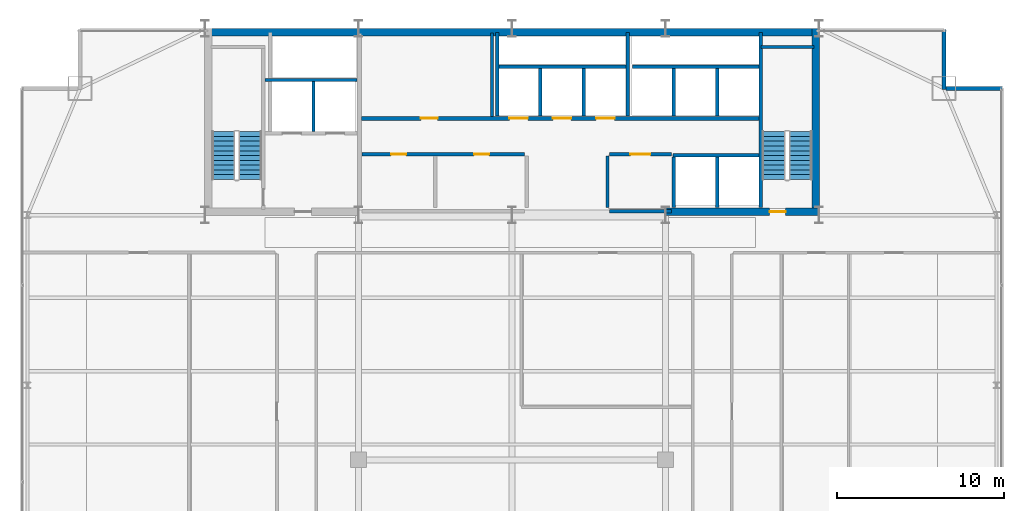
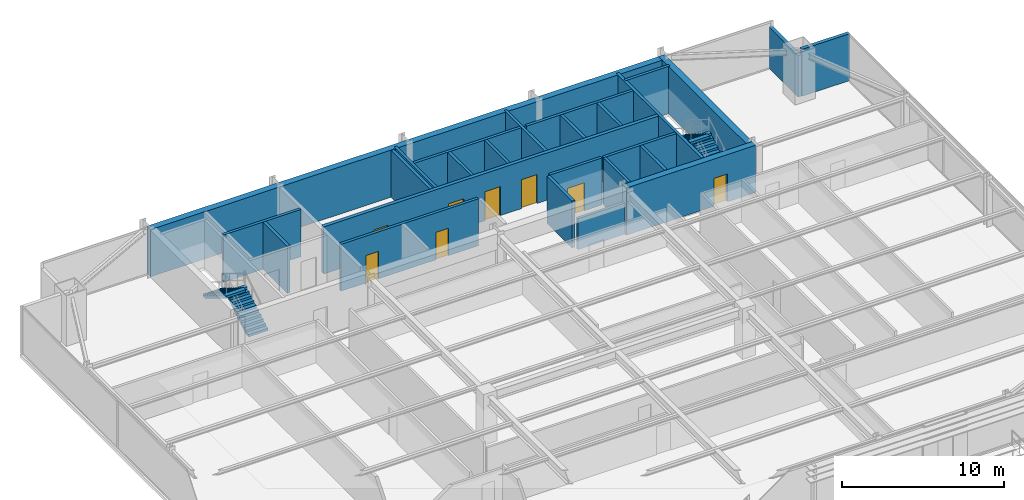
# One storey, part 29 of 32: 26 walls, 8 doors, 4 stair flights, 8 openings, 2 elements without a shape of their own.
"""IFC4 building model written with IfcOpenShell, lengths in metres."""

from ifc_helpers import new_model, si_unit, direction, frame, frame_2d, origin, place, context, subcontext, project, spatial, polyline, rectangle, outline, extrude, source, transform, mapped, material, layer, layer_set, type_object, type_shapes, element, fill, aggregate, save


model = new_model("IFC4")

# Units and contexts
model_context = context("Model", 3, precision=1e-05, world=origin(), true_north=direction((0.0, 1.0)))
body_context = subcontext(model_context, "Body", "Model", "MODEL_VIEW")
ifc_project = project(units=[si_unit("LENGTHUNIT", "METRE"), si_unit("AREAUNIT", "SQUARE_METRE"), si_unit("VOLUMEUNIT", "CUBIC_METRE"), si_unit("PLANEANGLEUNIT", "RADIAN"), si_unit("MASSUNIT", "GRAM", prefix="KILO")], contexts=[model_context])

# Site, building, storey
site_placement = place(None, origin())
site = spatial("IfcSite", under=ifc_project, at=site_placement, CompositionType="ELEMENT")
building_placement = place(site_placement, origin())
building = spatial("IfcBuilding", under=site, at=building_placement, Name="Varnel Quay Broadcast Tower", CompositionType="ELEMENT")
storey_placement = place(building_placement, frame((0.0, 0.0, 133.39990234375)))
storey = spatial("IfcBuildingStorey", under=building, at=storey_placement, Name="L32", CompositionType="ELEMENT", Elevation=133.39990234375)

# Walls
ifc_material_1 = material(Name="Concrete CSA A23.3 C50/60", Category="concrete")
ifc_layer_1 = layer(ifc_material_1, 0.199951171875, Name="Concrete CSA A23.3 C50/60")
ifc_layer_set_1 = layer_set([ifc_layer_1], Name="Concrete CSA A23.3 C50/60")
wall_type_1 = type_object("IfcWallType", Name="Wall_CoreShaftShear200", PredefinedType="SHEAR", material=ifc_layer_set_1)
wall_1_placement = place(storey_placement, frame((19.199951171875, 43.699951171875, 0.0), z_axis=(0.0, 0.0, 1.0), x_axis=(1.0, 0.0, 0.0)))
element("IfcWall", 1, at=wall_1_placement, inside=storey, type_object=wall_type_1, Name="L32 Firefighter Lift Shaft Rear Wall", PredefinedType="SHEAR", context=body_context, shape_type="SweptSolid", body=[
    extrude(rectangle(XDim=5.52001953125, YDim=0.199951171875, at=frame_2d((2.760009765625, 0.0))), origin(), (0.0, 0.0, 1.0), 3.550048828125),
])
wall_2_placement = place(storey_placement, frame((22.10009765625, 40.60009765625, 0.0), z_axis=(0.0, 0.0, 1.0), x_axis=(0.0, 1.0, 0.0)))
element("IfcWall", 2, at=wall_2_placement, inside=storey, type_object=wall_type_1, Name="L32 Firefighter Lift Shaft Divider", PredefinedType="SHEAR", context=body_context, shape_type="SweptSolid", body=[
    extrude(rectangle(XDim=3.0, YDim=0.199951171875, at=frame_2d((1.5, 0.0))), origin(), (0.0, 0.0, 1.0), 3.550048828125),
])
wall_3_placement = place(storey_placement, frame((48.919921875, 36.050048828125, 0.0), z_axis=(0.0, 0.0, 1.0), x_axis=(0.0, 1.0, 0.0)))
element("IfcWall", 3, at=wall_3_placement, inside=storey, type_object=wall_type_1, Name="L32 Stair 2 West Structural Wall", PredefinedType="SHEAR", context=body_context, shape_type="SweptSolid", body=[
    extrude(rectangle(XDim=10.5, YDim=0.199951171875, at=frame_2d((5.25, 0.0))), origin(), (0.0, 0.0, 1.0), 3.550048828125),
])
wall_4_placement = place(storey_placement, frame((48.919921875, 45.679931640625, 0.0), z_axis=(0.0, 0.0, 1.0), x_axis=(1.0, 0.0, 0.0)))
element("IfcWall", 4, at=wall_4_placement, inside=storey, type_object=wall_type_1, Name="L32 Stair 2 North Structural Wall", PredefinedType="SHEAR", context=body_context, shape_type="SweptSolid", body=[
    extrude(rectangle(XDim=3.18017578125, YDim=0.199951171875, at=frame_2d((1.590087890625, 0.0))), origin(), (0.0, 0.0, 1.0), 3.550048828125),
])
wall_5_placement = place(storey_placement, frame((33.219970703125, 44.5, 0.0), z_axis=(0.0, 0.0, 1.0), x_axis=(1.0, 0.0, 0.0)))
element("IfcWall", 5, at=wall_5_placement, inside=storey, type_object=wall_type_1, Name="L32 Mid-Rise Lift Shaft Rear Wall", PredefinedType="SHEAR", context=body_context, shape_type="SweptSolid", body=[
    extrude(rectangle(XDim=7.630126953125, YDim=0.199951171875, at=frame_2d((3.81494140625, 0.0))), origin(), (0.0, 0.0, 1.0), 3.550048828125),
])
wall_6_placement = place(storey_placement, frame((33.1201171875, 41.530029296875, 0.0), z_axis=(0.0, 0.0, 1.0), x_axis=(0.0, 1.0, 0.0)))
element("IfcWall", 6, at=wall_6_placement, inside=storey, type_object=wall_type_1, Name="L32 Mid-Rise Lift Shaft Divider 1", PredefinedType="SHEAR", context=body_context, shape_type="SweptSolid", body=[
    extrude(rectangle(XDim=5.02001953125, YDim=0.199951171875, at=frame_2d((2.510009765625, 0.0))), origin(), (0.0, 0.0, 1.0), 3.550048828125),
])
for number, where, z_axis, x_axis, name in (
    (7, (35.699951171875, 41.530029296875, 0.0), (0.0, 0.0, 1.0), (0.0, 1.0, 0.0), "L32 Mid-Rise Lift Shaft Divider 2"),
    (8, (38.300048828125, 41.530029296875, 0.0), (0.0, 0.0, 1.0), (0.0, 1.0, 0.0), "L32 Mid-Rise Lift Shaft Divider 3"),
):
    element("IfcWall", number, at=place(storey_placement, frame(where, z_axis=z_axis, x_axis=x_axis)), inside=storey, type_object=wall_type_1, Name=name, PredefinedType="SHEAR", context=body_context, shape_type="SweptSolid", body=[
        extrude(rectangle(XDim=2.869873046875, YDim=0.199951171875, at=frame_2d((1.43505859375, 0.0))), origin(), (0.0, 0.0, 1.0), 3.550048828125),
    ])
wall_7_placement = place(storey_placement, frame((40.949951171875, 41.530029296875, 0.0), z_axis=(0.0, 0.0, 1.0), x_axis=(0.0, 1.0, 0.0)))
element("IfcWall", 9, at=wall_7_placement, inside=storey, type_object=wall_type_1, Name="L32 Mid-Rise Lift Shaft Divider 4", PredefinedType="SHEAR", context=body_context, shape_type="SweptSolid", body=[
    extrude(rectangle(XDim=5.02001953125, YDim=0.199951171875, at=frame_2d((2.510009765625, 0.0))), origin(), (0.0, 0.0, 1.0), 3.550048828125),
])
wall_8_placement = place(storey_placement, frame((41.219970703125, 44.5, 0.0), z_axis=(0.0, 0.0, 1.0), x_axis=(1.0, 0.0, 0.0)))
element("IfcWall", 10, at=wall_8_placement, inside=storey, type_object=wall_type_1, Name="L32 High-Rise Lift Shaft Rear Wall", PredefinedType="SHEAR", context=body_context, shape_type="SweptSolid", body=[
    extrude(rectangle(XDim=7.580078125, YDim=0.199951171875, at=frame_2d((3.7900390625, 0.0))), origin(), (0.0, 0.0, 1.0), 3.550048828125),
])
for number, where, z_axis, x_axis, name in (
    (11, (43.699951171875, 41.530029296875, 0.0), (0.0, 0.0, 1.0), (0.0, 1.0, 0.0), "L32 High-Rise Lift Shaft Divider 2"),
    (12, (46.300048828125, 41.530029296875, 0.0), (0.0, 0.0, 1.0), (0.0, 1.0, 0.0), "L32 High-Rise Lift Shaft Divider 3"),
):
    element("IfcWall", number, at=place(storey_placement, frame(where, z_axis=z_axis, x_axis=x_axis)), inside=storey, type_object=wall_type_1, Name=name, PredefinedType="SHEAR", context=body_context, shape_type="SweptSolid", body=[
        extrude(rectangle(XDim=2.869873046875, YDim=0.199951171875, at=frame_2d((1.43505859375, 0.0))), origin(), (0.0, 0.0, 1.0), 3.550048828125),
    ])
for number, where, z_axis, x_axis, name in (
    (13, (43.699951171875, 36.050048828125, 0.0), (0.0, 0.0, 1.0), (0.0, 1.0, 0.0), "L32 Express Lift Shaft West Wall"),
    (14, (46.300048828125, 36.050048828125, 0.0), (0.0, 0.0, 1.0), (0.0, 1.0, 0.0), "L32 Express Lift Shaft Divider"),
):
    element("IfcWall", number, at=place(storey_placement, frame(where, z_axis=z_axis, x_axis=x_axis)), inside=storey, type_object=wall_type_1, Name=name, PredefinedType="SHEAR", context=body_context, shape_type="SweptSolid", body=[
        extrude(rectangle(XDim=3.050048828125, YDim=0.199951171875, at=frame_2d((1.52490234375, 0.0))), origin(), (0.0, 0.0, 1.0), 3.550048828125),
    ])
wall_9_placement = place(storey_placement, frame((43.64990234375, 39.199951171875, 0.0), z_axis=(0.0, 0.0, 1.0), x_axis=(1.0, 0.0, 0.0)))
element("IfcWall", 15, at=wall_9_placement, inside=storey, type_object=wall_type_1, Name="L32 Express Lift Shaft North Front Wall", PredefinedType="SHEAR", context=body_context, shape_type="SweptSolid", body=[
    extrude(rectangle(XDim=5.150146484375, YDim=0.199951171875, at=frame_2d((2.5751953125, 0.0))), origin(), (0.0, 0.0, 1.0), 3.550048828125),
])

# Wall, openings, doors
ifc_layer_2 = layer(ifc_material_1, 0.25, Name="Concrete CSA A23.3 C50/60")
ifc_layer_set_2 = layer_set([ifc_layer_2], Name="Concrete CSA A23.3 C50/60")
wall_type_2 = type_object("IfcWallType", Name="Wall_CoreShaftShear250", PredefinedType="SHEAR", material=ifc_layer_set_2)
wall_10_placement = place(storey_placement, frame((24.97998046875, 41.39990234375, 0.0), z_axis=(0.0, 0.0, 1.0), x_axis=(1.0, 0.0, 0.0)))
wall_10 = element("IfcWall", 16, at=wall_10_placement, inside=storey, type_object=wall_type_2, Name="L32 North Lift Bank & Reclaimed Suite Wall", PredefinedType="SHEAR", context=body_context, shape_type="SweptSolid", body=[
    extrude(rectangle(XDim=23.820068359375, YDim=0.25, at=frame_2d((11.91015625, 0.0))), origin(), (0.0, 0.0, 1.0), 3.550048828125),
])
opening_1_placement = place(wall_10_placement, frame((8.8701171875, 0.0, 0.0)))
opening_1 = element("IfcOpeningElement", 17, at=opening_1_placement, cuts=wall_10, Name="Opening LD-L32-PM-01", PredefinedType="OPENING", context=body_context, shape_type="SweptSolid", body=[
    extrude(rectangle(XDim=1.10009765625, YDim=2.179931640625, at=frame_2d((0.550048828125, 1.08984375))), frame((0.0, 0.135009765625, 0.0), z_axis=(0.0, -1.0, 0.0), x_axis=(1.0, 0.0, 0.0)), (0.0, 0.0, 1.0), 0.27001953125),
])
opening_2_placement = place(wall_10_placement, frame((11.469970703125, 0.0, 0.0)))
opening_2 = element("IfcOpeningElement", 18, at=opening_2_placement, cuts=wall_10, Name="Opening LD-L32-PM-02", PredefinedType="OPENING", context=body_context, shape_type="SweptSolid", body=[
    extrude(rectangle(XDim=1.10009765625, YDim=2.179931640625, at=frame_2d((0.550048828125, 1.08984375))), frame((0.0, 0.135009765625, 0.0), z_axis=(0.0, -1.0, 0.0), x_axis=(1.0, 0.0, 0.0)), (0.0, 0.0, 1.0), 0.27001953125),
])
opening_3_placement = place(wall_10_placement, frame((14.070068359375, 0.0, 0.0)))
opening_3 = element("IfcOpeningElement", 19, at=opening_3_placement, cuts=wall_10, Name="Opening LD-L32-PM-03", PredefinedType="OPENING", context=body_context, shape_type="SweptSolid", body=[
    extrude(rectangle(XDim=1.10009765625, YDim=2.179931640625, at=frame_2d((0.550048828125, 1.08984375))), frame((0.0, 0.135009765625, 0.0), z_axis=(0.0, -1.0, 0.0), x_axis=(1.0, 0.0, 0.0)), (0.0, 0.0, 1.0), 0.27001953125),
])
opening_4_placement = place(wall_10_placement, frame((3.56005859375, 0.0, 0.0)))
opening_4 = element("IfcOpeningElement", 20, at=opening_4_placement, cuts=wall_10, Name="Opening D-L32-RECA1", PredefinedType="OPENING", context=body_context, shape_type="SweptSolid", body=[
    extrude(rectangle(XDim=1.0, YDim=2.080078125, at=frame_2d((0.5, 1.0400390625))), frame((0.0, 0.135009765625, 0.0), z_axis=(0.0, -1.0, 0.0), x_axis=(1.0, 0.0, 0.0)), (0.0, 0.0, 1.0), 0.27001953125),
])
ifc_material_2 = material(Name="Brushed Bronze-Stainless Lift Car & Sliding Doors", Category="steel")
door_type_1 = type_object("IfcDoorType", Name="Door_LiftLanding1100", OperationType="SLIDING_TO_LEFT", PredefinedType="DOOR", material=ifc_material_2)
shared_shape_1 = source(origin(), body_context, "Body", "SweptSolid", [
    extrude(rectangle(XDim=1.10009765625, YDim=2.179931640625, at=frame_2d((0.550048828125, 1.08984375))), frame((0.0, 0.02490234375, 0.0), z_axis=(0.0, -1.0, 0.0), x_axis=(1.0, 0.0, 0.0)), (0.0, 0.0, 1.0), 0.050048828125),
])
type_shapes(door_type_1, [shared_shape_1])
door_1_placement = place(opening_1_placement, frame((1.10009765625, 0.0, 0.0), z_axis=(0.0, 0.0, 1.0), x_axis=(-1.0, 0.0, 0.0)))
door_1 = element("IfcDoor", 21, at=door_1_placement, inside=storey, type_object=door_type_1, Name="L32 Lift PM-01 Landing Door", OperationType="SLIDING_TO_LEFT", OverallHeight=2.179931640625, OverallWidth=1.10009765625, PredefinedType="DOOR", context=body_context, shape_type="MappedRepresentation", body=[
    mapped(shared_shape_1, transform((0.0, 0.0, 0.0), x_axis=(1.0, 0.0, 0.0), y_axis=(0.0, 1.0, 0.0), z_axis=(0.0, 0.0, 1.0), scale=1.0)),
])
fill(opening_1, door_1)
door_2_placement = place(opening_2_placement, frame((1.10009765625, 0.0, 0.0), z_axis=(0.0, 0.0, 1.0), x_axis=(-1.0, 0.0, 0.0)))
door_2 = element("IfcDoor", 22, at=door_2_placement, inside=storey, type_object=door_type_1, Name="L32 Lift PM-02 Landing Door", OperationType="SLIDING_TO_LEFT", OverallHeight=2.179931640625, OverallWidth=1.10009765625, PredefinedType="DOOR", context=body_context, shape_type="MappedRepresentation", body=[
    mapped(shared_shape_1, transform((0.0, 0.0, 0.0), x_axis=(1.0, 0.0, 0.0), y_axis=(0.0, 1.0, 0.0), z_axis=(0.0, 0.0, 1.0), scale=1.0)),
])
fill(opening_2, door_2)
door_3_placement = place(opening_3_placement, frame((1.10009765625, 0.0, 0.0), z_axis=(0.0, 0.0, 1.0), x_axis=(-1.0, 0.0, 0.0)))
door_3 = element("IfcDoor", 23, at=door_3_placement, inside=storey, type_object=door_type_1, Name="L32 Lift PM-03 Landing Door", OperationType="SLIDING_TO_LEFT", OverallHeight=2.179931640625, OverallWidth=1.10009765625, PredefinedType="DOOR", context=body_context, shape_type="MappedRepresentation", body=[
    mapped(shared_shape_1, transform((0.0, 0.0, 0.0), x_axis=(1.0, 0.0, 0.0), y_axis=(0.0, 1.0, 0.0), z_axis=(0.0, 0.0, 1.0), scale=1.0)),
])
fill(opening_3, door_3)
ifc_material_3 = material(Name="Insulated Fire-Rated Hollow Steel Door", Category="steel")
door_type_2 = type_object("IfcDoorType", Name="Door_FireLobby1000", OperationType="NOTDEFINED", PredefinedType="DOOR", material=ifc_material_3)
shared_shape_2 = source(origin(), body_context, "Body", "SweptSolid", [
    extrude(rectangle(XDim=1.0, YDim=2.080078125, at=frame_2d((0.5, 1.0400390625))), frame((0.0, 0.02490234375, 0.0), z_axis=(0.0, -1.0, 0.0), x_axis=(1.0, 0.0, 0.0)), (0.0, 0.0, 1.0), 0.050048828125),
])
type_shapes(door_type_2, [shared_shape_2])
door_4_placement = place(opening_4_placement, origin())
door_4 = element("IfcDoor", 24, at=door_4_placement, inside=storey, type_object=door_type_2, Name="L32 Broadcast Ingest Server Hall Door", OperationType="SINGLE_SWING_RIGHT", OverallHeight=2.080078125, OverallWidth=1.0, PredefinedType="DOOR", context=body_context, shape_type="MappedRepresentation", body=[
    mapped(shared_shape_2, transform((0.0, 0.0, 0.0), x_axis=(1.0, 0.0, 0.0), y_axis=(0.0, 1.0, 0.0), z_axis=(0.0, 0.0, 1.0), scale=1.0)),
])
fill(opening_4, door_4)

# Walls
ifc_material_4 = material(Name="Concrete CSA A23.3 C60/75", Category="concrete")
ifc_layer_3 = layer(ifc_material_4, 0.449951171875, Name="Concrete CSA A23.3 C60/75")
ifc_layer_set_3 = layer_set([ifc_layer_3], Name="Concrete CSA A23.3 C60/75")
wall_type_3 = type_object("IfcWallType", Name="Wall_CoreShearExt450", PredefinedType="SHEAR", material=ifc_layer_set_3)
wall_11_placement = place(storey_placement, frame((15.60009765625, 46.574951171875, 0.0), z_axis=(0.0, 0.0, 1.0), x_axis=(1.0, 0.0, 0.0)))
element("IfcWall", 25, at=wall_11_placement, inside=storey, type_object=wall_type_3, Name="L32 North Core Shear Wall", PredefinedType="SHEAR", context=body_context, shape_type="SweptSolid", body=[
    extrude(rectangle(XDim=36.7998046875, YDim=0.449951171875, at=frame_2d((18.39990234375, 0.0))), origin(), (0.0, 0.0, 1.0), 3.550048828125),
])
ifc_layer_4 = layer(ifc_material_4, 0.449951171875, Name="Concrete CSA A23.3 C60/75")
ifc_layer_set_4 = layer_set([ifc_layer_4], Name="Concrete CSA A23.3 C60/75")
wall_type_4 = type_object("IfcWallType", Name="Wall_CoreShearInt450", PredefinedType="SHEAR", material=ifc_layer_set_4)
wall_12_placement = place(storey_placement, frame((52.205078125, 35.570068359375, 0.0), z_axis=(0.0, 0.0, 1.0), x_axis=(0.0, 1.0, 0.0)))
element("IfcWall", 26, at=wall_12_placement, inside=storey, type_object=wall_type_4, Name="L32 East Core Shear Wall", PredefinedType="SHEAR", context=body_context, shape_type="SweptSolid", body=[
    extrude(rectangle(XDim=11.22998046875, YDim=0.449951171875, at=frame_2d((5.614990234375, 0.0))), origin(), (0.0, 0.0, 1.0), 3.550048828125),
])

# Wall, opening, door
wall_13_placement = place(storey_placement, frame((43.199951171875, 35.794921875, 0.0), z_axis=(0.0, 0.0, 1.0), x_axis=(1.0, 0.0, 0.0)))
wall_13 = element("IfcWall", 27, at=wall_13_placement, inside=storey, type_object=wall_type_4, Name="L32 South-East Core Shear Wall", PredefinedType="SHEAR", context=body_context, shape_type="SweptSolid", body=[
    extrude(rectangle(XDim=9.22998046875, YDim=0.449951171875, at=frame_2d((4.614990234375, 0.0))), origin(), (0.0, 0.0, 1.0), 3.550048828125),
])
opening_5_placement = place(wall_13_placement, frame((6.25, 0.0, 0.0)))
opening_5 = element("IfcOpeningElement", 28, at=opening_5_placement, cuts=wall_13, Name="Opening D-L32-S2", PredefinedType="OPENING", context=body_context, shape_type="SweptSolid", body=[
    extrude(rectangle(XDim=0.949951171875, YDim=2.10009765625, at=frame_2d((0.47509765625, 1.050048828125))), frame((0.0, 0.23486328125, 0.0), z_axis=(0.0, -1.0, 0.0), x_axis=(1.0, 0.0, 0.0)), (0.0, 0.0, 1.0), 0.469970703125),
])
door_type_3 = type_object("IfcDoorType", Name="Door_FireStair950", OperationType="NOTDEFINED", PredefinedType="DOOR", material=ifc_material_3)
shared_shape_3 = source(origin(), body_context, "Body", "SweptSolid", [
    extrude(rectangle(XDim=0.949951171875, YDim=2.10009765625, at=frame_2d((0.47509765625, 1.050048828125))), frame((0.0, 0.02490234375, 0.0), z_axis=(0.0, -1.0, 0.0), x_axis=(1.0, 0.0, 0.0)), (0.0, 0.0, 1.0), 0.050048828125),
])
type_shapes(door_type_3, [shared_shape_3])
door_5_placement = place(opening_5_placement, origin())
door_5 = element("IfcDoor", 29, at=door_5_placement, inside=storey, type_object=door_type_3, Name="L32 Stair 2 Fire Door", OperationType="SINGLE_SWING_LEFT", OverallHeight=2.10009765625, OverallWidth=0.949951171875, PredefinedType="DOOR", context=body_context, shape_type="MappedRepresentation", body=[
    mapped(shared_shape_3, transform((0.0, 0.0, 0.0), x_axis=(1.0, 0.0, 0.0), y_axis=(0.0, 1.0, 0.0), z_axis=(0.0, 0.0, 1.0), scale=1.0)),
])
fill(opening_5, door_5)

# Walls
ifc_material_5 = material(Name="Precast Architectural Concrete C40/50", Category="concrete")
ifc_layer_5 = layer(ifc_material_5, 0.25, Name="Precast Architectural Concrete C40/50")
ifc_layer_set_5 = layer_set([ifc_layer_5], Name="Precast Architectural Concrete C40/50")
wall_type_5 = type_object("IfcWallType", Name="Wall_ExtTerrace250", PredefinedType="SOLIDWALL", material=ifc_layer_set_5)
wall_14_placement = place(storey_placement, frame((60.030029296875, 43.199951171875, 0.0), z_axis=(0.0, 0.0, 1.0), x_axis=(1.0, 0.0, 0.0)))
element("IfcWall", 30, at=wall_14_placement, inside=storey, type_object=wall_type_5, Name="L32 Mega-Column Notch Cladding Wall NNE1", PredefinedType="SOLIDWALL", context=body_context, shape_type="SweptSolid", body=[
    extrude(rectangle(XDim=3.389892578125, YDim=0.25, at=frame_2d((1.69482421875, 0.0))), origin(), (0.0, 0.0, 1.0), 3.530029296875),
])
wall_15_placement = place(storey_placement, frame((59.89990234375, 43.1201171875, 0.0), z_axis=(0.0, 0.0, 1.0), x_axis=(0.0, 1.0, 0.0)))
element("IfcWall", 31, at=wall_15_placement, inside=storey, type_object=wall_type_5, Name="L32 Mega-Column Notch Cladding Wall NNE2", PredefinedType="SOLIDWALL", context=body_context, shape_type="SweptSolid", body=[
    extrude(rectangle(XDim=3.599853515625, YDim=0.25, at=frame_2d((1.7998046875, 0.0))), origin(), (0.0, 0.0, 1.0), 3.108154296875),
])
ifc_material_6 = material(Name="Concrete Blockwork Fire Enclosure C40/50", Category="masonry")
ifc_layer_6 = layer(ifc_material_6, 0.199951171875, Name="Concrete Blockwork Fire Enclosure C40/50")
ifc_layer_set_6 = layer_set([ifc_layer_6], Name="Concrete Blockwork Fire Enclosure C40/50")
wall_type_6 = type_object("IfcWallType", Name="Wall_FireShaft200", PredefinedType="SOLIDWALL", material=ifc_layer_set_6)
wall_16_placement = place(storey_placement, frame((39.85009765625, 35.824951171875, 0.0), z_axis=(0.0, 0.0, 1.0), x_axis=(1.0, 0.0, 0.0)))
element("IfcWall", 32, at=wall_16_placement, inside=storey, type_object=wall_type_6, Name="L32 Electrical Sub-Distribution Closet Partition 5", PredefinedType="SOLIDWALL", context=body_context, shape_type="SweptSolid", body=[
    extrude(rectangle(XDim=3.699951171875, YDim=0.199951171875, at=frame_2d((1.85009765625, 0.0))), origin(), (0.0, 0.0, 1.0), 2.3251953125),
])

# Wall, opening, door
wall_17_placement = place(storey_placement, frame((39.85009765625, 39.25, 0.0), z_axis=(0.0, 0.0, 1.0), x_axis=(1.0, 0.0, 0.0)))
wall_17 = element("IfcWall", 33, at=wall_17_placement, inside=storey, type_object=wall_type_6, Name="L32 Electrical Sub-Distribution Closet Partition 6", PredefinedType="SOLIDWALL", context=body_context, shape_type="SweptSolid", body=[
    extrude(rectangle(XDim=3.699951171875, YDim=0.199951171875, at=frame_2d((1.85009765625, 0.0))), origin(), (0.0, 0.0, 1.0), 3.530029296875),
])
opening_6_placement = place(wall_17_placement, frame((1.25, 0.0, 0.0)))
opening_6 = element("IfcOpeningElement", 34, at=opening_6_placement, cuts=wall_17, Name="Opening D-L32-03", PredefinedType="OPENING", context=body_context, shape_type="SweptSolid", body=[
    extrude(rectangle(XDim=1.199951171875, YDim=2.10009765625, at=frame_2d((0.60009765625, 1.050048828125))), frame((0.0, 0.10986328125, 0.0), z_axis=(0.0, -1.0, 0.0), x_axis=(1.0, 0.0, 0.0)), (0.0, 0.0, 1.0), 0.219970703125),
])
door_type_4 = type_object("IfcDoorType", Name="Door_Plant1200", OperationType="NOTDEFINED", PredefinedType="DOOR", material=ifc_material_3)
shared_shape_4 = source(origin(), body_context, "Body", "SweptSolid", [
    extrude(rectangle(XDim=1.199951171875, YDim=2.10009765625, at=frame_2d((0.60009765625, 1.050048828125))), frame((0.0, 0.02490234375, 0.0), z_axis=(0.0, -1.0, 0.0), x_axis=(1.0, 0.0, 0.0)), (0.0, 0.0, 1.0), 0.050048828125),
])
type_shapes(door_type_4, [shared_shape_4])
door_6_placement = place(opening_6_placement, origin())
door_6 = element("IfcDoor", 35, at=door_6_placement, inside=storey, type_object=door_type_4, Name="L32 Electrical Sub-Distribution Closet Door D-L32-03", OperationType="SINGLE_SWING_LEFT", OverallHeight=2.10009765625, OverallWidth=1.199951171875, PredefinedType="DOOR", context=body_context, shape_type="MappedRepresentation", body=[
    mapped(shared_shape_4, transform((0.0, 0.0, 0.0), x_axis=(1.0, 0.0, 0.0), y_axis=(0.0, 1.0, 0.0), z_axis=(0.0, 0.0, 1.0), scale=1.0)),
])
fill(opening_6, door_6)

# Walls
wall_18_placement = place(storey_placement, frame((39.72509765625, 36.050048828125, 0.0), z_axis=(0.0, 0.0, 1.0), x_axis=(0.0, 1.0, 0.0)))
element("IfcWall", 36, at=wall_18_placement, inside=storey, type_object=wall_type_6, Name="L32 Electrical Sub-Distribution Closet Partition 7", PredefinedType="SOLIDWALL", context=body_context, shape_type="SweptSolid", body=[
    extrude(rectangle(XDim=3.099853515625, YDim=0.199951171875, at=frame_2d((1.5498046875, 0.0))), origin(), (0.0, 0.0, 1.0), 3.530029296875),
])
wall_19_placement = place(storey_placement, frame((32.800048828125, 41.5, 0.0), z_axis=(0.0, 0.0, 1.0), x_axis=(0.0, 1.0, 0.0)))
element("IfcWall", 37, at=wall_19_placement, inside=storey, type_object=wall_type_6, Name="L32 Broadcast Ingest Server Hall Partition 24", PredefinedType="SOLIDWALL", context=body_context, shape_type="SweptSolid", body=[
    extrude(rectangle(XDim=5.02001953125, YDim=0.199951171875, at=frame_2d((2.510009765625, 0.0))), origin(), (0.0, 0.0, 1.0), 3.530029296875),
])

# Wall, openings, doors
ifc_material_7 = material(Name="Fire-Rated Moisture-Resistant Plumbing Chase Partition")
ifc_layer_7 = layer(ifc_material_7, 0.199951171875, Name="Fire-Rated Moisture-Resistant Plumbing Chase Partition")
ifc_layer_set_7 = layer_set([ifc_layer_7], Name="Fire-Rated Moisture-Resistant Plumbing Chase Partition")
wall_type_7 = type_object("IfcWallType", Name="Wall_Plumbing200", PredefinedType="PLUMBINGWALL", material=ifc_layer_set_7)
wall_20_placement = place(storey_placement, frame((25.0, 39.25, 0.0), z_axis=(0.0, 0.0, 1.0), x_axis=(1.0, 0.0, 0.0)))
wall_20 = element("IfcWall", 38, at=wall_20_placement, inside=storey, type_object=wall_type_7, Name="L32 Accessible Washroom Partition 3", PredefinedType="PLUMBINGWALL", context=body_context, shape_type="SweptSolid", body=[
    extrude(rectangle(XDim=9.75, YDim=0.199951171875, at=frame_2d((4.875, 0.0))), origin(), (0.0, 0.0, 1.0), 3.530029296875),
])
opening_7_placement = place(wall_20_placement, frame((1.75, 0.0, 0.0)))
opening_7 = element("IfcOpeningElement", 39, at=opening_7_placement, cuts=wall_20, Name="Opening D-L32-01", PredefinedType="OPENING", context=body_context, shape_type="SweptSolid", body=[
    extrude(rectangle(XDim=0.89990234375, YDim=2.06005859375, at=frame_2d((0.449951171875, 1.030029296875))), frame((0.0, 0.10986328125, 0.0), z_axis=(0.0, -1.0, 0.0), x_axis=(1.0, 0.0, 0.0)), (0.0, 0.0, 1.0), 0.219970703125),
])
opening_8_placement = place(wall_20_placement, frame((6.72509765625, 0.0, 0.0)))
opening_8 = element("IfcOpeningElement", 40, at=opening_8_placement, cuts=wall_20, Name="Opening D-L32-02", PredefinedType="OPENING", context=body_context, shape_type="SweptSolid", body=[
    extrude(rectangle(XDim=0.89990234375, YDim=2.06005859375, at=frame_2d((0.449951171875, 1.030029296875))), frame((0.0, 0.10986328125, 0.0), z_axis=(0.0, -1.0, 0.0), x_axis=(1.0, 0.0, 0.0)), (0.0, 0.0, 1.0), 0.219970703125),
])
ifc_material_8 = material(Name="Solid-Core Fire-Rated Acoustic Oak Veneer Door", Category="wood")
door_type_5 = type_object("IfcDoorType", Name="Door_Washroom900", OperationType="NOTDEFINED", PredefinedType="DOOR", material=ifc_material_8)
shared_shape_5 = source(origin(), body_context, "Body", "SweptSolid", [
    extrude(rectangle(XDim=0.89990234375, YDim=2.06005859375, at=frame_2d((0.449951171875, 1.030029296875))), frame((0.0, 0.02490234375, 0.0), z_axis=(0.0, -1.0, 0.0), x_axis=(1.0, 0.0, 0.0)), (0.0, 0.0, 1.0), 0.050048828125),
])
type_shapes(door_type_5, [shared_shape_5])
door_7_placement = place(opening_7_placement, frame((0.89990234375, 0.0, 0.0), z_axis=(0.0, 0.0, 1.0), x_axis=(-1.0, 0.0, 0.0)))
door_7 = element("IfcDoor", 41, at=door_7_placement, inside=storey, type_object=door_type_5, Name="L32 Accessible Washroom Door D-L32-01", OperationType="SINGLE_SWING_LEFT", OverallHeight=2.06005859375, OverallWidth=0.89990234375, PredefinedType="DOOR", context=body_context, shape_type="MappedRepresentation", body=[
    mapped(shared_shape_5, transform((0.0, 0.0, 0.0), x_axis=(1.0, 0.0, 0.0), y_axis=(0.0, 1.0, 0.0), z_axis=(0.0, 0.0, 1.0), scale=1.0)),
])
fill(opening_7, door_7)
door_8_placement = place(opening_8_placement, frame((0.89990234375, 0.0, 0.0), z_axis=(0.0, 0.0, 1.0), x_axis=(-1.0, 0.0, 0.0)))
door_8 = element("IfcDoor", 42, at=door_8_placement, inside=storey, type_object=door_type_5, Name="L32 Staff Washrooms Door D-L32-02", OperationType="SINGLE_SWING_RIGHT", OverallHeight=2.06005859375, OverallWidth=0.89990234375, PredefinedType="DOOR", context=body_context, shape_type="MappedRepresentation", body=[
    mapped(shared_shape_5, transform((0.0, 0.0, 0.0), x_axis=(1.0, 0.0, 0.0), y_axis=(0.0, 1.0, 0.0), z_axis=(0.0, 0.0, 1.0), scale=1.0)),
])
fill(opening_8, door_8)

# Stair, stair flights
ifc_material_9 = material(Name="Precast Structural Concrete C40/50", Category="concrete")
stair_type_1 = type_object("IfcStairType", Name="Stair_ST-01", PredefinedType="HALF_TURN_STAIR", material=ifc_material_9)
stair_1_placement = place(storey_placement, origin())
stair_1 = element("IfcStair", 43, at=stair_1_placement, inside=storey, type_object=stair_type_1, Name="L32 West Core Exit Stair 1", PredefinedType="HALF_TURN_STAIR")
stair_flight_type_1 = type_object("IfcStairFlightType", Name="Flight_ST-01", PredefinedType="STRAIGHT", material=ifc_material_9)
stair_flight_1_placement = place(storey_placement, frame((18.300048828125, 37.75, 0.0), z_axis=(0.0, 0.0, 1.0), x_axis=(0.0, 1.0, 0.0)))
stair_flight_1 = element("IfcStairFlight", 44, at=stair_flight_1_placement, type_object=stair_flight_type_1, Name="ST-01 flight 1", NumberOfRisers=11, NumberOfTreads=10, PredefinedType="STRAIGHT", RiserHeight=0.172727273, TreadLength=0.285, context=body_context, shape_type="SweptSolid", body=[
    extrude(outline(polyline([(0.0, 0.0), (0.0, 0.172607421875), (0.284912109375, 0.172607421875), (0.284912109375, 0.345458984375), (0.570068359375, 0.345458984375), (0.570068359375, 0.51806640625), (0.85498046875, 0.51806640625), (0.85498046875, 0.69091796875), (1.139892578125, 0.69091796875), (1.139892578125, 0.863525390625), (1.425048828125, 0.863525390625), (1.425048828125, 1.036376953125), (1.7099609375, 1.036376953125), (1.7099609375, 1.208984375), (1.9951171875, 1.208984375), (1.9951171875, 1.3818359375), (2.280029296875, 1.3818359375), (2.280029296875, 1.554443359375), (2.56494140625, 1.554443359375), (2.56494140625, 1.727294921875), (2.85009765625, 1.727294921875), (2.85009765625, 1.89990234375), (2.85009765625, 1.552001953125), (0.289306640625, 0.0), (0.0, 0.0)])), frame((0.0, 0.699951171875, 0.0), z_axis=(0.0, -1.0, 0.0), x_axis=(1.0, 0.0, 0.0)), (0.0, 0.0, 1.0), 1.39990234375),
])
stair_flight_2_placement = place(storey_placement, frame((16.699951171875, 40.60009765625, 1.900146484375), z_axis=(0.0, 0.0, 1.0), x_axis=(0.0, -1.0, 0.0)))
stair_flight_2 = element("IfcStairFlight", 45, at=stair_flight_2_placement, type_object=stair_flight_type_1, Name="ST-01 flight 2", NumberOfRisers=11, NumberOfTreads=10, PredefinedType="STRAIGHT", RiserHeight=0.172727273, TreadLength=0.285, context=body_context, shape_type="SweptSolid", body=[
    extrude(outline(polyline([(0.0, 0.0), (0.0, 0.172607421875), (0.284912109375, 0.172607421875), (0.284912109375, 0.345458984375), (0.570068359375, 0.345458984375), (0.570068359375, 0.51806640625), (0.85498046875, 0.51806640625), (0.85498046875, 0.69091796875), (1.139892578125, 0.69091796875), (1.139892578125, 0.863525390625), (1.425048828125, 0.863525390625), (1.425048828125, 1.036376953125), (1.7099609375, 1.036376953125), (1.7099609375, 1.208984375), (1.9951171875, 1.208984375), (1.9951171875, 1.3818359375), (2.280029296875, 1.3818359375), (2.280029296875, 1.554443359375), (2.56494140625, 1.554443359375), (2.56494140625, 1.727294921875), (2.85009765625, 1.727294921875), (2.85009765625, 1.89990234375), (2.85009765625, 1.552001953125), (0.289306640625, 0.0), (0.0, 0.0)])), frame((0.0, 0.699951171875, 0.0), z_axis=(0.0, -1.0, 0.0), x_axis=(1.0, 0.0, 0.0)), (0.0, 0.0, 1.0), 1.39990234375),
])
aggregate(stair_1, [stair_flight_1, stair_flight_2])

stair_type_2 = type_object("IfcStairType", Name="Stair_ST-02", PredefinedType="HALF_TURN_STAIR", material=ifc_material_9)
stair_2_placement = place(storey_placement, origin())
stair_2 = element("IfcStair", 46, at=stair_2_placement, inside=storey, type_object=stair_type_2, Name="L32 East Core Exit Stair 2", PredefinedType="HALF_TURN_STAIR")
stair_flight_type_2 = type_object("IfcStairFlightType", Name="Flight_ST-02", PredefinedType="STRAIGHT", material=ifc_material_9)
stair_flight_3_placement = place(storey_placement, frame((51.300048828125, 37.75, 0.0), z_axis=(0.0, 0.0, 1.0), x_axis=(0.0, 1.0, 0.0)))
stair_flight_3 = element("IfcStairFlight", 47, at=stair_flight_3_placement, type_object=stair_flight_type_2, Name="ST-02 flight 1", NumberOfRisers=11, NumberOfTreads=10, PredefinedType="STRAIGHT", RiserHeight=0.172727273, TreadLength=0.285, context=body_context, shape_type="SweptSolid", body=[
    extrude(outline(polyline([(0.0, 0.0), (0.0, 0.172607421875), (0.284912109375, 0.172607421875), (0.284912109375, 0.345458984375), (0.570068359375, 0.345458984375), (0.570068359375, 0.51806640625), (0.85498046875, 0.51806640625), (0.85498046875, 0.69091796875), (1.139892578125, 0.69091796875), (1.139892578125, 0.863525390625), (1.425048828125, 0.863525390625), (1.425048828125, 1.036376953125), (1.7099609375, 1.036376953125), (1.7099609375, 1.208984375), (1.9951171875, 1.208984375), (1.9951171875, 1.3818359375), (2.280029296875, 1.3818359375), (2.280029296875, 1.554443359375), (2.56494140625, 1.554443359375), (2.56494140625, 1.727294921875), (2.85009765625, 1.727294921875), (2.85009765625, 1.89990234375), (2.85009765625, 1.552001953125), (0.289306640625, 0.0), (0.0, 0.0)])), frame((0.0, 0.699951171875, 0.0), z_axis=(0.0, -1.0, 0.0), x_axis=(1.0, 0.0, 0.0)), (0.0, 0.0, 1.0), 1.39990234375),
])
stair_flight_4_placement = place(storey_placement, frame((49.699951171875, 40.60009765625, 1.900146484375), z_axis=(0.0, 0.0, 1.0), x_axis=(0.0, -1.0, 0.0)))
stair_flight_4 = element("IfcStairFlight", 48, at=stair_flight_4_placement, type_object=stair_flight_type_2, Name="ST-02 flight 2", NumberOfRisers=11, NumberOfTreads=10, PredefinedType="STRAIGHT", RiserHeight=0.172727273, TreadLength=0.285, context=body_context, shape_type="SweptSolid", body=[
    extrude(outline(polyline([(0.0, 0.0), (0.0, 0.172607421875), (0.284912109375, 0.172607421875), (0.284912109375, 0.345458984375), (0.570068359375, 0.345458984375), (0.570068359375, 0.51806640625), (0.85498046875, 0.51806640625), (0.85498046875, 0.69091796875), (1.139892578125, 0.69091796875), (1.139892578125, 0.863525390625), (1.425048828125, 0.863525390625), (1.425048828125, 1.036376953125), (1.7099609375, 1.036376953125), (1.7099609375, 1.208984375), (1.9951171875, 1.208984375), (1.9951171875, 1.3818359375), (2.280029296875, 1.3818359375), (2.280029296875, 1.554443359375), (2.56494140625, 1.554443359375), (2.56494140625, 1.727294921875), (2.85009765625, 1.727294921875), (2.85009765625, 1.89990234375), (2.85009765625, 1.552001953125), (0.289306640625, 0.0), (0.0, 0.0)])), frame((0.0, 0.699951171875, 0.0), z_axis=(0.0, -1.0, 0.0), x_axis=(1.0, 0.0, 0.0)), (0.0, 0.0, 1.0), 1.39990234375),
])
aggregate(stair_2, [stair_flight_3, stair_flight_4])

save(model, "model.ifc")
